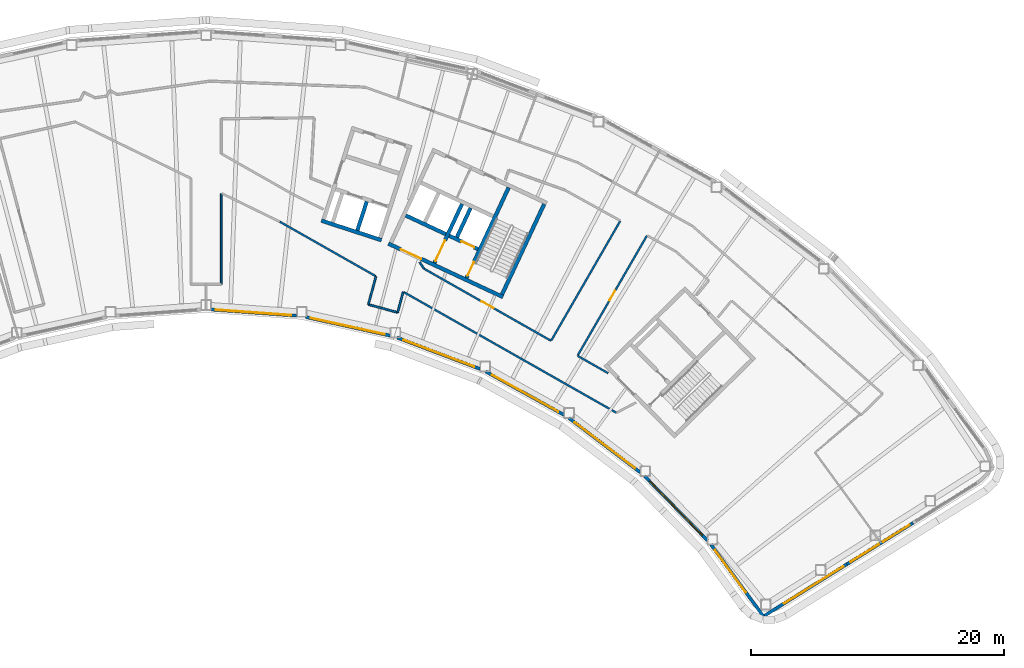
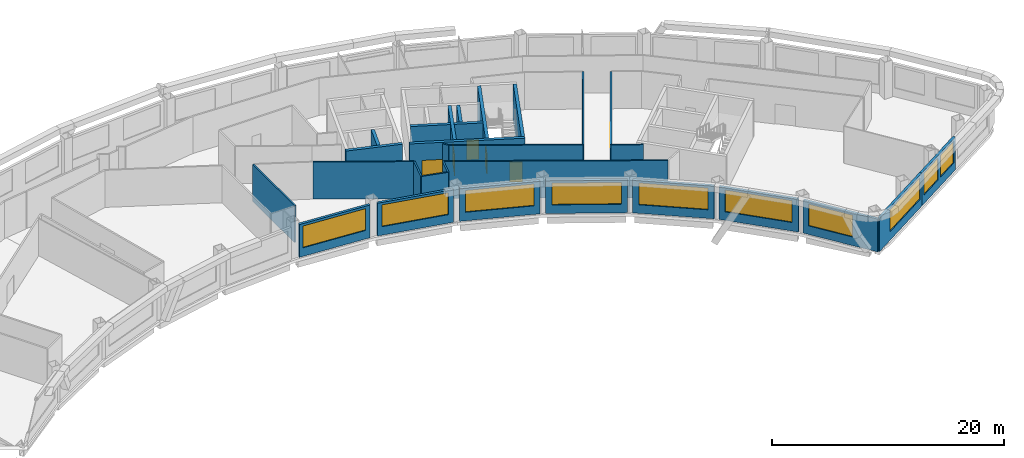
# One storey, part 8 of 13: 29 walls, 10 windows, 6 doors, 16 openings.
"""IFC4 building model written with IfcOpenShell, lengths in metres."""

from ifc_helpers import new_model, si_unit, direction, frame, frame_2d, origin, place, context, subcontext, project, spatial, rectangle, extrude, material, layer, layer_set, type_object, element, fill, save


model = new_model("IFC4")

# Units and contexts
model_context = context("Model", 3, precision=1e-05, world=origin(), true_north=direction((0.0, 1.0)))
body_context = subcontext(model_context, "Body", "Model", "MODEL_VIEW")
ifc_project = project(units=[si_unit("LENGTHUNIT", "METRE"), si_unit("AREAUNIT", "SQUARE_METRE"), si_unit("VOLUMEUNIT", "CUBIC_METRE"), si_unit("PLANEANGLEUNIT", "RADIAN"), si_unit("MASSUNIT", "GRAM", prefix="KILO")], contexts=[model_context])

# Site, building, storey
site_placement = place(None, origin())
site = spatial("IfcSite", under=ifc_project, at=site_placement, CompositionType="ELEMENT")
building_placement = place(site_placement, origin())
building = spatial("IfcBuilding", under=site, at=building_placement, Name="Tuul Gate Civic Tower", CompositionType="ELEMENT")
storey_placement = place(building_placement, frame((0.0, 0.0, 252.60009765625)))
storey = spatial("IfcBuildingStorey", under=building, at=storey_placement, Name="Level 57", CompositionType="ELEMENT", Elevation=252.60009765625)

# Wall, opening, door
ifc_material_1 = material(Name="Concrete C50/60", Category="concrete")
ifc_layer_1 = layer(ifc_material_1, 0.300048828125)
ifc_layer_set_1 = layer_set([ifc_layer_1], Name="Concrete C50/60")
wall_type_1 = type_object("IfcWallType", Name="Core wall C50/60", PredefinedType="SHEAR", material=ifc_layer_set_1)
wall_1_placement = place(storey_placement, frame((34.5283203125, -7.25, 0.0), z_axis=(0.0, 0.0, 1.0), x_axis=(-0.906310338845, 0.422612789327, 0.0)))
wall_1 = element("IfcWall", 1, at=wall_1_placement, inside=storey, type_object=wall_type_1, Name="Core wall", PredefinedType="SHEAR", context=body_context, shape_type="SweptSolid", body=[
    extrude(rectangle(XDim=9.999755859375, YDim=0.300048828125, at=frame_2d((5.0, 0.0))), origin(), (0.0, 0.0, 1.0), 3.89990234375),
])
opening_1_placement = place(wall_1_placement, frame((7.125, 0.0, 0.0)))
opening_1 = element("IfcOpeningElement", 2, at=opening_1_placement, cuts=wall_1, Name="Opening LB-E3-LOBBY-1", PredefinedType="OPENING", context=body_context, shape_type="SweptSolid", body=[
    extrude(rectangle(XDim=1.800048828125, YDim=2.10009765625, at=frame_2d((0.89990234375, 1.050048828125))), frame((0.0, 0.16015625, 0.0), z_axis=(0.0, -1.0, 0.0), x_axis=(1.0, 0.0, 0.0)), (0.0, 0.0, 1.0), 0.320068359375),
])
ifc_material_2 = material(Name="Steel", Category="steel")
door_type_1 = type_object("IfcDoorType", Name="Lobby door", OperationType="DOUBLE_DOOR_SINGLE_SWING", PredefinedType="DOOR", material=ifc_material_2)
door_1_placement = place(opening_1_placement, origin())
door_1 = element("IfcDoor", 3, at=door_1_placement, inside=storey, type_object=door_type_1, Name="Lobby door E3-LOBBY", OperationType="DOUBLE_DOOR_SINGLE_SWING", OverallHeight=2.10009765625, OverallWidth=1.800048828125, PredefinedType="DOOR", context=body_context, shape_type="SweptSolid", body=[
    extrude(rectangle(XDim=1.800048828125, YDim=2.10009765625, at=frame_2d((0.89990234375, 1.050048828125))), frame((0.0, 0.02490234375, 0.0), z_axis=(0.0, -1.0, 0.0), x_axis=(1.0, 0.0, 0.0)), (0.0, 0.0, 1.0), 0.050048828125),
])
fill(opening_1, door_1)

wall_2_placement = place(storey_placement, frame((32.545654296875, -3.456787109375, 0.0), z_axis=(0.0, 0.0, 1.0), x_axis=(-0.906300357825, 0.42263419337, 0.0)))
wall_2 = element("IfcWall", 4, at=wall_2_placement, inside=storey, type_object=wall_type_1, Name="Core wall", PredefinedType="SHEAR", context=body_context, shape_type="SweptSolid", body=[
    extrude(rectangle(XDim=2.500244140625, YDim=0.300048828125, at=frame_2d((1.25, 0.0))), origin(), (0.0, 0.0, 1.0), 3.89990234375),
])
opening_2_placement = place(wall_2_placement, frame((0.324951171875, 0.0, 0.0)))
opening_2 = element("IfcOpeningElement", 5, at=opening_2_placement, cuts=wall_2, Name="Opening LD-FF-2", PredefinedType="OPENING", context=body_context, shape_type="SweptSolid", body=[
    extrude(rectangle(XDim=1.10009765625, YDim=2.10009765625, at=frame_2d((0.550048828125, 1.050048828125))), frame((0.0, 0.16015625, 0.0), z_axis=(0.0, -1.0, 0.0), x_axis=(1.0, 0.0, 0.0)), (0.0, 0.0, 1.0), 0.320068359375),
])
ifc_material_3 = material(Name="Stainless steel", Category="steel")
door_type_2 = type_object("IfcDoorType", Name="Landing door", OperationType="DOUBLE_DOOR_SLIDING", PredefinedType="DOOR", material=ifc_material_3)
door_2_placement = place(opening_2_placement, origin())
door_2 = element("IfcDoor", 6, at=door_2_placement, inside=storey, type_object=door_type_2, Name="Fire-fighting lift FF-2 landing door", OperationType="DOUBLE_DOOR_SLIDING", OverallHeight=2.10009765625, OverallWidth=1.10009765625, PredefinedType="DOOR", context=body_context, shape_type="SweptSolid", body=[
    extrude(rectangle(XDim=1.10009765625, YDim=2.10009765625, at=frame_2d((0.550048828125, 1.050048828125))), frame((0.0, 0.02490234375, 0.0), z_axis=(0.0, -1.0, 0.0), x_axis=(1.0, 0.0, 0.0)), (0.0, 0.0, 1.0), 0.050048828125),
])
fill(opening_2, door_2)

# Walls
wall_3_placement = place(storey_placement, frame((30.0078125, -2.2734375, 0.0), z_axis=(0.0, 0.0, 1.0), x_axis=(-0.90630071767, 0.422633421716, 0.0)))
element("IfcWall", 7, at=wall_3_placement, inside=storey, type_object=wall_type_1, Name="Core wall", PredefinedType="SHEAR", context=body_context, shape_type="SweptSolid", body=[
    extrude(rectangle(XDim=3.5, YDim=0.300048828125, at=frame_2d((1.75, 0.0))), origin(), (0.0, 0.0, 1.0), 3.89990234375),
])
wall_4_placement = place(storey_placement, frame((34.455810546875, -7.05078125, 0.0), z_axis=(0.0, 0.0, 1.0), x_axis=(0.422570768258, 0.906329932096, 0.0)))
element("IfcWall", 8, at=wall_4_placement, inside=storey, type_object=wall_type_1, Name="Core wall", PredefinedType="SHEAR", context=body_context, shape_type="SweptSolid", body=[
    extrude(rectangle(XDim=7.900146484375, YDim=0.300048828125, at=frame_2d((3.9501953125, 0.0))), origin(), (0.0, 0.0, 1.0), 3.89990234375),
])

# Wall, opening, door
wall_5_placement = place(storey_placement, frame((31.646240234375, -5.740478515625, 0.0), z_axis=(0.0, 0.0, 1.0), x_axis=(0.422582604137, 0.906324413596, 0.0)))
wall_5 = element("IfcWall", 9, at=wall_5_placement, inside=storey, type_object=wall_type_1, Name="Core wall", PredefinedType="SHEAR", context=body_context, shape_type="SweptSolid", body=[
    extrude(rectangle(XDim=7.89990234375, YDim=0.300048828125, at=frame_2d((3.949951171875, 0.0))), origin(), (0.0, 0.0, 1.0), 3.89990234375),
])
opening_3_placement = place(wall_5_placement, frame((0.199951171875, 0.0, 0.0)))
opening_3 = element("IfcOpeningElement", 10, at=opening_3_placement, cuts=wall_5, Name="Opening SD-ST-4", PredefinedType="OPENING", context=body_context, shape_type="SweptSolid", body=[
    extrude(rectangle(XDim=1.199951171875, YDim=2.10009765625, at=frame_2d((0.60009765625, 1.050048828125))), frame((0.0, 0.16015625, 0.0), z_axis=(0.0, -1.0, 0.0), x_axis=(1.0, 0.0, 0.0)), (0.0, 0.0, 1.0), 0.320068359375),
])
ifc_material_4 = material(Name="Steel", Category="steel")
door_type_3 = type_object("IfcDoorType", Name="Stair door", OperationType="NOTDEFINED", PredefinedType="DOOR", material=ifc_material_4)
door_3_placement = place(opening_3_placement, origin())
door_3 = element("IfcDoor", 11, at=door_3_placement, inside=storey, type_object=door_type_3, Name="Stair door ST-4", OperationType="SINGLE_SWING_LEFT", OverallHeight=2.10009765625, OverallWidth=1.199951171875, PredefinedType="DOOR", context=body_context, shape_type="SweptSolid", body=[
    extrude(rectangle(XDim=1.199951171875, YDim=2.10009765625, at=frame_2d((0.60009765625, 1.050048828125))), frame((0.0, 0.02490234375, 0.0), z_axis=(0.0, -1.0, 0.0), x_axis=(1.0, 0.0, 0.0)), (0.0, 0.0, 1.0), 0.050048828125),
])
fill(opening_3, door_3)

# Wall
wall_6_placement = place(storey_placement, frame((30.886962890625, -2.517822265625, 0.0), z_axis=(0.0, 0.0, 1.0), x_axis=(0.422612891016, 0.906310291427, 0.0)))
element("IfcWall", 12, at=wall_6_placement, inside=storey, type_object=wall_type_1, Name="Core wall", PredefinedType="SHEAR", context=body_context, shape_type="SweptSolid", body=[
    extrude(rectangle(XDim=2.550048828125, YDim=0.300048828125, at=frame_2d((1.27490234375, 0.0))), origin(), (0.0, 0.0, 1.0), 3.89990234375),
])

# Wall, opening, door
wall_7_placement = place(storey_placement, frame((29.108642578125, -4.557373046875, 0.0), z_axis=(0.0, 0.0, 1.0), x_axis=(0.422566235356, 0.90633204552, 0.0)))
wall_7 = element("IfcWall", 13, at=wall_7_placement, inside=storey, type_object=wall_type_1, Name="Core wall", PredefinedType="SHEAR", context=body_context, shape_type="SweptSolid", body=[
    extrude(rectangle(XDim=5.150146484375, YDim=0.300048828125, at=frame_2d((2.5751953125, 0.0))), origin(), (0.0, 0.0, 1.0), 3.89990234375),
])
opening_4_placement = place(wall_7_placement, frame((0.175048828125, 0.0, 0.0)))
opening_4 = element("IfcOpeningElement", 14, at=opening_4_placement, cuts=wall_7, Name="Opening LB-E3-FLOBBY-1", PredefinedType="OPENING", context=body_context, shape_type="SweptSolid", body=[
    extrude(rectangle(XDim=1.800048828125, YDim=2.10009765625, at=frame_2d((0.89990234375, 1.050048828125))), frame((0.0, 0.16015625, 0.0), z_axis=(0.0, -1.0, 0.0), x_axis=(1.0, 0.0, 0.0)), (0.0, 0.0, 1.0), 0.320068359375),
])
door_4_placement = place(opening_4_placement, frame((1.800048828125, 0.0, 0.0), z_axis=(0.0, 0.0, 1.0), x_axis=(-1.0, 0.0, 0.0)))
door_4 = element("IfcDoor", 15, at=door_4_placement, inside=storey, type_object=door_type_1, Name="Lobby door E3-FLOBBY", OperationType="DOUBLE_DOOR_SINGLE_SWING", OverallHeight=2.10009765625, OverallWidth=1.800048828125, PredefinedType="DOOR", context=body_context, shape_type="SweptSolid", body=[
    extrude(rectangle(XDim=1.800048828125, YDim=2.10009765625, at=frame_2d((0.900146484375, 1.050048828125))), frame((0.0, 0.02490234375, 0.0), z_axis=(0.0, -1.0, 0.0), x_axis=(1.0, 0.0, 0.0)), (0.0, 0.0, 1.0), 0.050048828125),
])
fill(opening_4, door_4)

ifc_material_5 = material(Name="Gypsum board partition")
ifc_layer_2 = layer(ifc_material_5, 0.14990234375)
ifc_layer_set_2 = layer_set([ifc_layer_2], Name="Gypsum board partition")
wall_type_2 = type_object("IfcWallType", Name="Corridor wall P150", PredefinedType="PARTITIONING", material=ifc_layer_set_2)
wall_8_placement = place(storey_placement, frame((28.28857421875, -5.01220703125, 0.0), z_axis=(0.0, 0.0, 1.0), x_axis=(0.869716838548, -0.493551031551, 0.0)))
wall_8 = element("IfcWall", 16, at=wall_8_placement, inside=storey, type_object=wall_type_2, Name="p021", PredefinedType="PARTITIONING", context=body_context, shape_type="SweptSolid", body=[
    extrude(rectangle(XDim=11.541015625, YDim=0.14990234375, at=frame_2d((5.7705078125, 0.0))), origin(), (0.0, 0.0, 1.0), 3.89990234375),
])
opening_5_placement = place(wall_8_placement, frame((5.220458984375, 0.0, 0.0)))
opening_5 = element("IfcOpeningElement", 17, at=opening_5_placement, cuts=wall_8, Name="Opening U-D13", PredefinedType="OPENING", context=body_context, shape_type="SweptSolid", body=[
    extrude(rectangle(XDim=1.10009765625, YDim=2.10009765625, at=frame_2d((0.550048828125, 1.050048828125))), frame((0.0, 0.0849609375, 0.0), z_axis=(0.0, -1.0, 0.0), x_axis=(1.0, 0.0, 0.0)), (0.0, 0.0, 1.0), 0.169921875),
])
ifc_material_6 = material(Name="Timber door leaf", Category="wood")
door_type_4 = type_object("IfcDoorType", Name="Door D11", OperationType="NOTDEFINED", PredefinedType="DOOR", material=ifc_material_6)
door_5_placement = place(opening_5_placement, frame((1.10009765625, 0.0, 0.0), z_axis=(0.0, 0.0, 1.0), x_axis=(-1.0, 0.0, 0.0)))
door_5 = element("IfcDoor", 18, at=door_5_placement, inside=storey, type_object=door_type_4, Name="Door U-D13", OperationType="SINGLE_SWING_LEFT", OverallHeight=2.10009765625, OverallWidth=1.10009765625, PredefinedType="DOOR", context=body_context, shape_type="SweptSolid", body=[
    extrude(rectangle(XDim=1.10009765625, YDim=2.10009765625, at=frame_2d((0.550048828125, 1.050048828125))), frame((0.0, 0.02490234375, 0.0), z_axis=(0.0, -1.0, 0.0), x_axis=(1.0, 0.0, 0.0)), (0.0, 0.0, 1.0), 0.050048828125),
])
fill(opening_5, door_5)

# Walls
wall_9_placement = place(storey_placement, frame((40.447998046875, -11.91259765625, 0.0), z_axis=(0.0, 0.0, 1.0), x_axis=(0.869704327938, -0.493573076622, 0.0)))
element("IfcWall", 19, at=wall_9_placement, inside=storey, type_object=wall_type_2, Name="p022", PredefinedType="PARTITIONING", context=body_context, shape_type="SweptSolid", body=[
    extrude(rectangle(XDim=2.76904296875, YDim=0.14990234375, at=frame_2d((1.384521484375, 0.0))), origin(), (0.0, 0.0, 1.0), 3.89990234375),
])
wall_10_placement = place(storey_placement, frame((12.23095703125, -6.227294921875, 0.0), z_axis=(0.0, 0.0, 1.0), x_axis=(0.0, 1.0, 0.0)))
element("IfcWall", 20, at=wall_10_placement, inside=storey, type_object=wall_type_2, Name="p045", PredefinedType="PARTITIONING", context=body_context, shape_type="SweptSolid", body=[
    extrude(rectangle(XDim=7.1689453125, YDim=0.14990234375, at=frame_2d((3.58447265625, 0.0))), origin(), (0.0, 0.0, 1.0), 3.89990234375),
])
wall_11_placement = place(storey_placement, frame((16.869140625, -1.291259765625, 0.0), z_axis=(0.0, 0.0, 1.0), x_axis=(0.869705050565, -0.49357180331, 0.0)))
element("IfcWall", 21, at=wall_11_placement, inside=storey, type_object=wall_type_2, Name="p049", PredefinedType="PARTITIONING", context=body_context, shape_type="SweptSolid", body=[
    extrude(rectangle(XDim=8.7333984375, YDim=0.14990234375, at=frame_2d((4.36669921875, 0.0))), origin(), (0.0, 0.0, 1.0), 3.89990234375),
])
wall_12_placement = place(storey_placement, frame((26.65380859375, -6.84423828125, 0.0), z_axis=(0.0, 0.0, 1.0), x_axis=(0.869704761963, -0.493572311843, 0.0)))
element("IfcWall", 22, at=wall_12_placement, inside=storey, type_object=wall_type_2, Name="p050", PredefinedType="PARTITIONING", context=body_context, shape_type="SweptSolid", body=[
    extrude(rectangle(XDim=19.387451171875, YDim=0.14990234375, at=frame_2d((9.69384765625, 0.0))), origin(), (0.0, 0.0, 1.0), 3.89990234375),
])
wall_13_placement = place(storey_placement, frame((23.87646484375, -7.84765625, 0.0), z_axis=(0.0, 0.0, 1.0), x_axis=(0.258790844669, 0.965933382131, 0.0)))
element("IfcWall", 23, at=wall_13_placement, inside=storey, type_object=wall_type_2, Name="p051", PredefinedType="PARTITIONING", context=body_context, shape_type="SweptSolid", body=[
    extrude(rectangle(XDim=2.302734375, YDim=0.14990234375, at=frame_2d((1.1513671875, 0.0))), origin(), (0.0, 0.0, 1.0), 3.89990234375),
])
wall_14_placement = place(storey_placement, frame((23.87646484375, -7.84765625, 0.0), z_axis=(0.0, 0.0, 1.0), x_axis=(0.965930342518, -0.258802189717, 0.0)))
element("IfcWall", 24, at=wall_14_placement, inside=storey, type_object=wall_type_2, Name="p052", PredefinedType="PARTITIONING", context=body_context, shape_type="SweptSolid", body=[
    extrude(rectangle(XDim=2.39990234375, YDim=0.14990234375, at=frame_2d((1.199951171875, 0.0))), origin(), (0.0, 0.0, 1.0), 3.89990234375),
])
wall_15_placement = place(storey_placement, frame((26.194580078125, -8.46875, 0.0), z_axis=(0.0, 0.0, 1.0), x_axis=(0.258855549498, 0.965916044226, 0.0)))
element("IfcWall", 25, at=wall_15_placement, inside=storey, type_object=wall_type_2, Name="p053", PredefinedType="PARTITIONING", context=body_context, shape_type="SweptSolid", body=[
    extrude(rectangle(XDim=1.66845703125, YDim=0.14990234375, at=frame_2d((0.834228515625, 0.0))), origin(), (0.0, 0.0, 1.0), 3.89990234375),
])
wall_16_placement = place(storey_placement, frame((38.35205078125, -10.700439453125, 0.0), z_axis=(0.0, 0.0, 1.0), x_axis=(0.499619353254, 0.866245058776, 0.0)))
element("IfcWall", 26, at=wall_16_placement, inside=storey, type_object=wall_type_2, Name="p054", PredefinedType="PARTITIONING", context=body_context, shape_type="SweptSolid", body=[
    extrude(rectangle(XDim=10.93359375, YDim=0.14990234375, at=frame_2d((5.466796875, 0.0))), origin(), (0.0, 0.0, 1.0), 3.89990234375),
])

# Wall, opening, door
wall_17_placement = place(storey_placement, frame((40.438720703125, -11.890869140625, 0.0), z_axis=(0.0, 0.0, 1.0), x_axis=(0.500324334958, 0.865838067914, 0.0)))
wall_17 = element("IfcWall", 27, at=wall_17_placement, inside=storey, type_object=wall_type_2, Name="p055", PredefinedType="PARTITIONING", context=body_context, shape_type="SweptSolid", body=[
    extrude(rectangle(XDim=10.965576171875, YDim=0.14990234375, at=frame_2d((5.48291015625, 0.0))), origin(), (0.0, 0.0, 1.0), 3.89990234375),
])
opening_6_placement = place(wall_17_placement, frame((5.03271484375, 0.0, 0.0)))
opening_6 = element("IfcOpeningElement", 28, at=opening_6_placement, cuts=wall_17, Name="Opening U-D12", PredefinedType="OPENING", context=body_context, shape_type="SweptSolid", body=[
    extrude(rectangle(XDim=0.89990234375, YDim=2.10009765625, at=frame_2d((0.449951171875, 1.050048828125))), frame((0.0, 0.0849609375, 0.0), z_axis=(0.0, -1.0, 0.0), x_axis=(1.0, 0.0, 0.0)), (0.0, 0.0, 1.0), 0.169921875),
])
ifc_material_7 = material(Name="Timber door leaf", Category="wood")
door_type_5 = type_object("IfcDoorType", Name="Door D09", OperationType="NOTDEFINED", PredefinedType="DOOR", material=ifc_material_7)
door_6_placement = place(opening_6_placement, frame((0.89990234375, 0.0, 0.0), z_axis=(0.0, 0.0, 1.0), x_axis=(-1.0, 0.0, 0.0)))
door_6 = element("IfcDoor", 29, at=door_6_placement, inside=storey, type_object=door_type_5, Name="Door U-D12", OperationType="SINGLE_SWING_LEFT", OverallHeight=2.10009765625, OverallWidth=0.89990234375, PredefinedType="DOOR", context=body_context, shape_type="SweptSolid", body=[
    extrude(rectangle(XDim=0.89990234375, YDim=2.10009765625, at=frame_2d((0.449951171875, 1.050048828125))), frame((0.0, 0.02490234375, 0.0), z_axis=(0.0, -1.0, 0.0), x_axis=(1.0, 0.0, 0.0)), (0.0, 0.0, 1.0), 0.050048828125),
])
fill(opening_6, door_6)

# Wall
wall_18_placement = place(storey_placement, frame((27.939453125, -4.509033203125, 0.0), z_axis=(0.0, 0.0, 1.0), x_axis=(0.567421034779, -0.823427816685, 0.0)))
element("IfcWall", 30, at=wall_18_placement, inside=storey, type_object=wall_type_2, Name="p087", PredefinedType="PARTITIONING", context=body_context, shape_type="SweptSolid", body=[
    extrude(rectangle(XDim=0.603759765625, YDim=0.14990234375, at=frame_2d((0.3017578125, 0.0))), origin(), (0.0, 0.0, 1.0), 3.89990234375),
])

# Wall, opening, window
ifc_material_8 = material(Name="Precast concrete C40/50", Category="concrete")
ifc_layer_3 = layer(ifc_material_8, 0.25)
ifc_layer_set_3 = layer_set([ifc_layer_3], Name="Precast concrete C40/50")
wall_type_3 = type_object("IfcWallType", Name="External wall", PredefinedType="STANDARD", material=ifc_layer_set_3)
wall_19_placement = place(storey_placement, frame((11.430908203125, -8.236572265625, 0.0), z_axis=(0.0, 0.0, 1.0), x_axis=(0.997384795983, -0.072274260578, 0.0)))
wall_19 = element("IfcWall", 31, at=wall_19_placement, inside=storey, type_object=wall_type_3, Name="External wall", PredefinedType="STANDARD", context=body_context, shape_type="SweptSolid", body=[
    extrude(rectangle(XDim=6.789794921875, YDim=0.25, at=frame_2d((3.39501953125, 0.0))), origin(), (0.0, 0.0, 1.0), 3.449951171875),
])
opening_7_placement = place(wall_19_placement, frame((0.371337890625, 0.0, 0.89990234375)))
opening_7 = element("IfcOpeningElement", 32, at=opening_7_placement, cuts=wall_19, Name="Opening W26", PredefinedType="OPENING", context=body_context, shape_type="SweptSolid", body=[
    extrude(rectangle(XDim=6.0, YDim=2.300048828125, at=frame_2d((3.0, 1.14990234375))), frame((0.0, 0.135009765625, 0.0), z_axis=(0.0, -1.0, 0.0), x_axis=(1.0, 0.0, 0.0)), (0.0, 0.0, 1.0), 0.27001953125),
])
ifc_material_9 = material(Name="Glass", Category="glass")
window_type_1 = type_object("IfcWindowType", Name="Window W26 6000 x 2300", PartitioningType="SINGLE_PANEL", PredefinedType="WINDOW", material=ifc_material_9)
window_1_placement = place(opening_7_placement, origin())
window_1 = element("IfcWindow", 33, at=window_1_placement, inside=storey, type_object=window_type_1, Name="Window", OverallHeight=2.300048828125, OverallWidth=6.0, PartitioningType="SINGLE_PANEL", PredefinedType="WINDOW", context=body_context, shape_type="SweptSolid", body=[
    extrude(rectangle(XDim=6.0, YDim=2.300048828125, at=frame_2d((3.0, 1.14990234375))), frame((0.0, 0.030029296875, 0.0), z_axis=(0.0, -1.0, 0.0), x_axis=(1.0, 0.0, 0.0)), (0.0, 0.0, 1.0), 0.06005859375),
])
fill(opening_7, window_1)

wall_20_placement = place(storey_placement, frame((18.90576171875, -8.830078125, 0.0), z_axis=(0.0, 0.0, 1.0), x_axis=(0.976589118116, -0.215113212929, 0.0)))
wall_20 = element("IfcWall", 34, at=wall_20_placement, inside=storey, type_object=wall_type_3, Name="External wall", PredefinedType="STANDARD", context=body_context, shape_type="SweptSolid", body=[
    extrude(rectangle(XDim=6.8720703125, YDim=0.25, at=frame_2d((3.43603515625, 0.0))), origin(), (0.0, 0.0, 1.0), 3.449951171875),
])
opening_8_placement = place(wall_20_placement, frame((0.4140625, 0.0, 0.89990234375)))
opening_8 = element("IfcOpeningElement", 35, at=opening_8_placement, cuts=wall_20, Name="Opening W26", PredefinedType="OPENING", context=body_context, shape_type="SweptSolid", body=[
    extrude(rectangle(XDim=6.0, YDim=2.300048828125, at=frame_2d((3.0, 1.14990234375))), frame((0.0, 0.135009765625, 0.0), z_axis=(0.0, -1.0, 0.0), x_axis=(1.0, 0.0, 0.0)), (0.0, 0.0, 1.0), 0.27001953125),
])
window_2_placement = place(opening_8_placement, origin())
window_2 = element("IfcWindow", 36, at=window_2_placement, inside=storey, type_object=window_type_1, Name="Window", OverallHeight=2.300048828125, OverallWidth=6.0, PartitioningType="SINGLE_PANEL", PredefinedType="WINDOW", context=body_context, shape_type="SweptSolid", body=[
    extrude(rectangle(XDim=6.0, YDim=2.300048828125, at=frame_2d((3.0, 1.14990234375))), frame((0.0, 0.030029296875, 0.0), z_axis=(0.0, -1.0, 0.0), x_axis=(1.0, 0.0, 0.0)), (0.0, 0.0, 1.0), 0.06005859375),
])
fill(opening_8, window_2)

wall_21_placement = place(storey_placement, frame((26.15673828125, -10.464111328125, 0.0), z_axis=(0.0, 0.0, 1.0), x_axis=(0.935331393711, -0.353772785752, 0.0)))
wall_21 = element("IfcWall", 37, at=wall_21_placement, inside=storey, type_object=wall_type_3, Name="External wall", PredefinedType="STANDARD", context=body_context, shape_type="SweptSolid", body=[
    extrude(rectangle(XDim=7.014892578125, YDim=0.25, at=frame_2d((3.50732421875, 0.0))), origin(), (0.0, 0.0, 1.0), 3.449951171875),
])
opening_9_placement = place(wall_21_placement, frame((0.5234375, 0.0, 0.89990234375)))
opening_9 = element("IfcOpeningElement", 38, at=opening_9_placement, cuts=wall_21, Name="Opening W26", PredefinedType="OPENING", context=body_context, shape_type="SweptSolid", body=[
    extrude(rectangle(XDim=6.0, YDim=2.300048828125, at=frame_2d((3.0, 1.14990234375))), frame((0.0, 0.135009765625, 0.0), z_axis=(0.0, -1.0, 0.0), x_axis=(1.0, 0.0, 0.0)), (0.0, 0.0, 1.0), 0.27001953125),
])
window_3_placement = place(opening_9_placement, origin())
window_3 = element("IfcWindow", 39, at=window_3_placement, inside=storey, type_object=window_type_1, Name="Window", OverallHeight=2.300048828125, OverallWidth=6.0, PartitioningType="SINGLE_PANEL", PredefinedType="WINDOW", context=body_context, shape_type="SweptSolid", body=[
    extrude(rectangle(XDim=6.0, YDim=2.300048828125, at=frame_2d((3.0, 1.14990234375))), frame((0.0, 0.030029296875, 0.0), z_axis=(0.0, -1.0, 0.0), x_axis=(1.0, 0.0, 0.0)), (0.0, 0.0, 1.0), 0.06005859375),
])
fill(opening_9, window_3)

wall_22_placement = place(storey_placement, frame((33.167724609375, -13.14892578125, 0.0), z_axis=(0.0, 0.0, 1.0), x_axis=(0.874609302381, -0.484828390452, 0.0)))
wall_22 = element("IfcWall", 40, at=wall_22_placement, inside=storey, type_object=wall_type_3, Name="External wall", PredefinedType="STANDARD", context=body_context, shape_type="SweptSolid", body=[
    extrude(rectangle(XDim=7.07666015625, YDim=0.25, at=frame_2d((3.538330078125, 0.0))), origin(), (0.0, 0.0, 1.0), 3.449951171875),
])
opening_10_placement = place(wall_22_placement, frame((0.558349609375, 0.0, 0.89990234375)))
opening_10 = element("IfcOpeningElement", 41, at=opening_10_placement, cuts=wall_22, Name="Opening W26", PredefinedType="OPENING", context=body_context, shape_type="SweptSolid", body=[
    extrude(rectangle(XDim=6.0, YDim=2.300048828125, at=frame_2d((3.0, 1.14990234375))), frame((0.0, 0.135009765625, 0.0), z_axis=(0.0, -1.0, 0.0), x_axis=(1.0, 0.0, 0.0)), (0.0, 0.0, 1.0), 0.27001953125),
])
window_4_placement = place(opening_10_placement, origin())
window_4 = element("IfcWindow", 42, at=window_4_placement, inside=storey, type_object=window_type_1, Name="Window", OverallHeight=2.300048828125, OverallWidth=6.0, PartitioningType="SINGLE_PANEL", PredefinedType="WINDOW", context=body_context, shape_type="SweptSolid", body=[
    extrude(rectangle(XDim=6.0, YDim=2.300048828125, at=frame_2d((3.0, 1.14990234375))), frame((0.0, 0.030029296875, 0.0), z_axis=(0.0, -1.0, 0.0), x_axis=(1.0, 0.0, 0.0)), (0.0, 0.0, 1.0), 0.06005859375),
])
fill(opening_10, window_4)

wall_23_placement = place(storey_placement, frame((39.746337890625, -16.830078125, 0.0), z_axis=(0.0, 0.0, 1.0), x_axis=(0.795636022241, -0.605774974815, 0.0)))
wall_23 = element("IfcWall", 43, at=wall_23_placement, inside=storey, type_object=wall_type_3, Name="External wall", PredefinedType="STANDARD", context=body_context, shape_type="SweptSolid", body=[
    extrude(rectangle(XDim=7.103271484375, YDim=0.25, at=frame_2d((3.5517578125, 0.0))), origin(), (0.0, 0.0, 1.0), 3.449951171875),
])
opening_11_placement = place(wall_23_placement, frame((0.5625, 0.0, 0.89990234375)))
opening_11 = element("IfcOpeningElement", 44, at=opening_11_placement, cuts=wall_23, Name="Opening W26", PredefinedType="OPENING", context=body_context, shape_type="SweptSolid", body=[
    extrude(rectangle(XDim=6.0, YDim=2.300048828125, at=frame_2d((3.0, 1.14990234375))), frame((0.0, 0.135009765625, 0.0), z_axis=(0.0, -1.0, 0.0), x_axis=(1.0, 0.0, 0.0)), (0.0, 0.0, 1.0), 0.27001953125),
])
window_5_placement = place(opening_11_placement, origin())
window_5 = element("IfcWindow", 45, at=window_5_placement, inside=storey, type_object=window_type_1, Name="Window", OverallHeight=2.300048828125, OverallWidth=6.0, PartitioningType="SINGLE_PANEL", PredefinedType="WINDOW", context=body_context, shape_type="SweptSolid", body=[
    extrude(rectangle(XDim=6.0, YDim=2.300048828125, at=frame_2d((3.0, 1.14990234375))), frame((0.0, 0.030029296875, 0.0), z_axis=(0.0, -1.0, 0.0), x_axis=(1.0, 0.0, 0.0)), (0.0, 0.0, 1.0), 0.06005859375),
])
fill(opening_11, window_5)

wall_24_placement = place(storey_placement, frame((45.73486328125, -21.428955078125, 0.0), z_axis=(0.0, 0.0, 1.0), x_axis=(0.700015105418, -0.714128036269, 0.0)))
wall_24 = element("IfcWall", 46, at=wall_24_placement, inside=storey, type_object=wall_type_3, Name="External wall", PredefinedType="STANDARD", context=body_context, shape_type="SweptSolid", body=[
    extrude(rectangle(XDim=7.10986328125, YDim=0.25, at=frame_2d((3.554931640625, 0.0))), origin(), (0.0, 0.0, 1.0), 3.449951171875),
])
opening_12_placement = place(wall_24_placement, frame((0.553955078125, 0.0, 0.89990234375)))
opening_12 = element("IfcOpeningElement", 47, at=opening_12_placement, cuts=wall_24, Name="Opening W26", PredefinedType="OPENING", context=body_context, shape_type="SweptSolid", body=[
    extrude(rectangle(XDim=6.0, YDim=2.300048828125, at=frame_2d((3.0, 1.14990234375))), frame((0.0, 0.135009765625, 0.0), z_axis=(0.0, -1.0, 0.0), x_axis=(1.0, 0.0, 0.0)), (0.0, 0.0, 1.0), 0.27001953125),
])
window_6_placement = place(opening_12_placement, origin())
window_6 = element("IfcWindow", 48, at=window_6_placement, inside=storey, type_object=window_type_1, Name="Window", OverallHeight=2.300048828125, OverallWidth=6.0, PartitioningType="SINGLE_PANEL", PredefinedType="WINDOW", context=body_context, shape_type="SweptSolid", body=[
    extrude(rectangle(XDim=6.0, YDim=2.300048828125, at=frame_2d((3.0, 1.14990234375))), frame((0.0, 0.030029296875, 0.0), z_axis=(0.0, -1.0, 0.0), x_axis=(1.0, 0.0, 0.0)), (0.0, 0.0, 1.0), 0.06005859375),
])
fill(opening_12, window_6)

wall_25_placement = place(storey_placement, frame((51.001708984375, -26.85009765625, 0.0), z_axis=(0.0, 0.0, 1.0), x_axis=(0.589734649771, -0.807597079526, 0.0)))
wall_25 = element("IfcWall", 49, at=wall_25_placement, inside=storey, type_object=wall_type_3, Name="External wall", PredefinedType="STANDARD", context=body_context, shape_type="SweptSolid", body=[
    extrude(rectangle(XDim=7.03515625, YDim=0.25, at=frame_2d((3.517578125, 0.0))), origin(), (0.0, 0.0, 1.0), 3.449951171875),
])
opening_13_placement = place(wall_25_placement, frame((0.527587890625, 0.0, 0.89990234375)))
opening_13 = element("IfcOpeningElement", 50, at=opening_13_placement, cuts=wall_25, Name="Opening W25", PredefinedType="OPENING", context=body_context, shape_type="SweptSolid", body=[
    extrude(rectangle(XDim=4.14990234375, YDim=2.300048828125, at=frame_2d((2.074951171875, 1.14990234375))), frame((0.0, 0.135009765625, 0.0), z_axis=(0.0, -1.0, 0.0), x_axis=(1.0, 0.0, 0.0)), (0.0, 0.0, 1.0), 0.27001953125),
])
ifc_material_10 = material(Name="Glass", Category="glass")
window_type_2 = type_object("IfcWindowType", Name="Window W25 4150 x 2300", PartitioningType="SINGLE_PANEL", PredefinedType="WINDOW", material=ifc_material_10)
window_7_placement = place(opening_13_placement, origin())
window_7 = element("IfcWindow", 51, at=window_7_placement, inside=storey, type_object=window_type_2, Name="Window", OverallHeight=2.300048828125, OverallWidth=4.14990234375, PartitioningType="SINGLE_PANEL", PredefinedType="WINDOW", context=body_context, shape_type="SweptSolid", body=[
    extrude(rectangle(XDim=4.14990234375, YDim=2.300048828125, at=frame_2d((2.074951171875, 1.14990234375))), frame((0.0, 0.030029296875, 0.0), z_axis=(0.0, -1.0, 0.0), x_axis=(1.0, 0.0, 0.0)), (0.0, 0.0, 1.0), 0.06005859375),
])
fill(opening_13, window_7)

wall_26_placement = place(storey_placement, frame((55.150634765625, -32.53173828125, 0.0), z_axis=(0.0, 0.0, 1.0), x_axis=(0.848019436648, 0.529965126274, 0.0)))
wall_26 = element("IfcWall", 52, at=wall_26_placement, inside=storey, type_object=wall_type_3, Name="External wall", PredefinedType="STANDARD", context=body_context, shape_type="SweptSolid", body=[
    extrude(rectangle(XDim=7.7880859375, YDim=0.25, at=frame_2d((3.89404296875, 0.0))), origin(), (0.0, 0.0, 1.0), 3.449951171875),
])
opening_14_placement = place(wall_26_placement, frame((1.921630859375, 0.0, 0.89990234375)))
opening_14 = element("IfcOpeningElement", 53, at=opening_14_placement, cuts=wall_26, Name="Opening W24", PredefinedType="OPENING", context=body_context, shape_type="SweptSolid", body=[
    extrude(rectangle(XDim=5.550048828125, YDim=2.300048828125, at=frame_2d((2.77490234375, 1.14990234375))), frame((0.0, 0.135009765625, 0.0), z_axis=(0.0, -1.0, 0.0), x_axis=(1.0, 0.0, 0.0)), (0.0, 0.0, 1.0), 0.27001953125),
])
ifc_material_11 = material(Name="Glass", Category="glass")
window_type_3 = type_object("IfcWindowType", Name="Window W24 5550 x 2300", PartitioningType="SINGLE_PANEL", PredefinedType="WINDOW", material=ifc_material_11)
window_8_placement = place(opening_14_placement, origin())
window_8 = element("IfcWindow", 54, at=window_8_placement, inside=storey, type_object=window_type_3, Name="Window", OverallHeight=2.300048828125, OverallWidth=5.550048828125, PartitioningType="SINGLE_PANEL", PredefinedType="WINDOW", context=body_context, shape_type="SweptSolid", body=[
    extrude(rectangle(XDim=5.550048828125, YDim=2.300048828125, at=frame_2d((2.77490234375, 1.14990234375))), frame((0.0, 0.030029296875, 0.0), z_axis=(0.0, -1.0, 0.0), x_axis=(1.0, 0.0, 0.0)), (0.0, 0.0, 1.0), 0.06005859375),
])
fill(opening_14, window_8)

# Wall, openings, windows
wall_27_placement = place(storey_placement, frame((61.755126953125, -28.404296875, 0.0), z_axis=(0.0, 0.0, 1.0), x_axis=(0.848036012993, 0.529938600846, 0.0)))
wall_27 = element("IfcWall", 55, at=wall_27_placement, inside=storey, type_object=wall_type_3, Name="External wall", PredefinedType="STANDARD", context=body_context, shape_type="SweptSolid", body=[
    extrude(rectangle(XDim=6.18310546875, YDim=0.25, at=frame_2d((3.091552734375, 0.0))), origin(), (0.0, 0.0, 1.0), 3.449951171875),
])
opening_15_placement = place(wall_27_placement, frame((0.33935546875, 0.0, 0.89990234375)))
opening_15 = element("IfcOpeningElement", 56, at=opening_15_placement, cuts=wall_27, Name="Opening W37", PredefinedType="OPENING", context=body_context, shape_type="SweptSolid", body=[
    extrude(rectangle(XDim=2.64990234375, YDim=2.300048828125, at=frame_2d((1.324951171875, 1.14990234375))), frame((0.0, 0.135009765625, 0.0), z_axis=(0.0, -1.0, 0.0), x_axis=(1.0, 0.0, 0.0)), (0.0, 0.0, 1.0), 0.27001953125),
])
opening_16_placement = place(wall_27_placement, frame((3.3642578125, 0.0, 0.89990234375)))
opening_16 = element("IfcOpeningElement", 57, at=opening_16_placement, cuts=wall_27, Name="Opening W38", PredefinedType="OPENING", context=body_context, shape_type="SweptSolid", body=[
    extrude(rectangle(XDim=2.5, YDim=2.300048828125, at=frame_2d((1.25, 1.14990234375))), frame((0.0, 0.135009765625, 0.0), z_axis=(0.0, -1.0, 0.0), x_axis=(1.0, 0.0, 0.0)), (0.0, 0.0, 1.0), 0.27001953125),
])
ifc_material_12 = material(Name="Glass", Category="glass")
window_type_4 = type_object("IfcWindowType", Name="Window 2500 x 2300", PartitioningType="SINGLE_PANEL", PredefinedType="WINDOW", material=ifc_material_12)
window_9_placement = place(opening_16_placement, origin())
window_9 = element("IfcWindow", 58, at=window_9_placement, inside=storey, type_object=window_type_4, Name="Window", OverallHeight=2.300048828125, OverallWidth=2.5, PartitioningType="SINGLE_PANEL", PredefinedType="WINDOW", context=body_context, shape_type="SweptSolid", body=[
    extrude(rectangle(XDim=2.5, YDim=2.300048828125, at=frame_2d((1.25, 1.14990234375))), frame((0.0, 0.030029296875, 0.0), z_axis=(0.0, -1.0, 0.0), x_axis=(1.0, 0.0, 0.0)), (0.0, 0.0, 1.0), 0.06005859375),
])
fill(opening_16, window_9)
ifc_material_13 = material(Name="Glass", Category="glass")
window_type_5 = type_object("IfcWindowType", Name="Window 2650 x 2300", PartitioningType="SINGLE_PANEL", PredefinedType="WINDOW", material=ifc_material_13)
window_10_placement = place(opening_15_placement, origin())
window_10 = element("IfcWindow", 59, at=window_10_placement, inside=storey, type_object=window_type_5, Name="Window", OverallHeight=2.300048828125, OverallWidth=2.64990234375, PartitioningType="SINGLE_PANEL", PredefinedType="WINDOW", context=body_context, shape_type="SweptSolid", body=[
    extrude(rectangle(XDim=2.64990234375, YDim=2.300048828125, at=frame_2d((1.324951171875, 1.14990234375))), frame((0.0, 0.030029296875, 0.0), z_axis=(0.0, -1.0, 0.0), x_axis=(1.0, 0.0, 0.0)), (0.0, 0.0, 1.0), 0.06005859375),
])
fill(opening_15, window_10)

# Walls
ifc_material_14 = material(Name="Concrete C40/50", Category="concrete")
ifc_layer_4 = layer(ifc_material_14, 0.300048828125)
ifc_layer_set_4 = layer_set([ifc_layer_4], Name="Concrete C40/50")
wall_type_4 = type_object("IfcWallType", Name="Lift shaft wall C40/50", PredefinedType="STANDARD", material=ifc_layer_set_4)
wall_28_placement = place(storey_placement, frame((24.911376953125, -2.746337890625, 0.0), z_axis=(0.0, 0.0, 1.0), x_axis=(-0.951067792613, 0.308982287281, 0.0)))
element("IfcWall", 60, at=wall_28_placement, inside=storey, type_object=wall_type_4, Name="Shaft wall", PredefinedType="STANDARD", context=body_context, shape_type="SweptSolid", body=[
    extrude(rectangle(XDim=5.0, YDim=0.300048828125, at=frame_2d((2.5, 0.0))), origin(), (0.0, 0.0, 1.0), 3.89990234375),
])
wall_29_placement = place(storey_placement, frame((23.008056640625, -1.97021484375, 0.0), z_axis=(0.0, 0.0, 1.0), x_axis=(0.309138975195, 0.951016873675, 0.0)))
element("IfcWall", 61, at=wall_29_placement, inside=storey, type_object=wall_type_4, Name="Shaft wall", PredefinedType="STANDARD", context=body_context, shape_type="SweptSolid", body=[
    extrude(rectangle(XDim=2.400146484375, YDim=0.300048828125, at=frame_2d((1.2001953125, 0.0))), origin(), (0.0, 0.0, 1.0), 3.89990234375),
])

save(model, "model.ifc")
